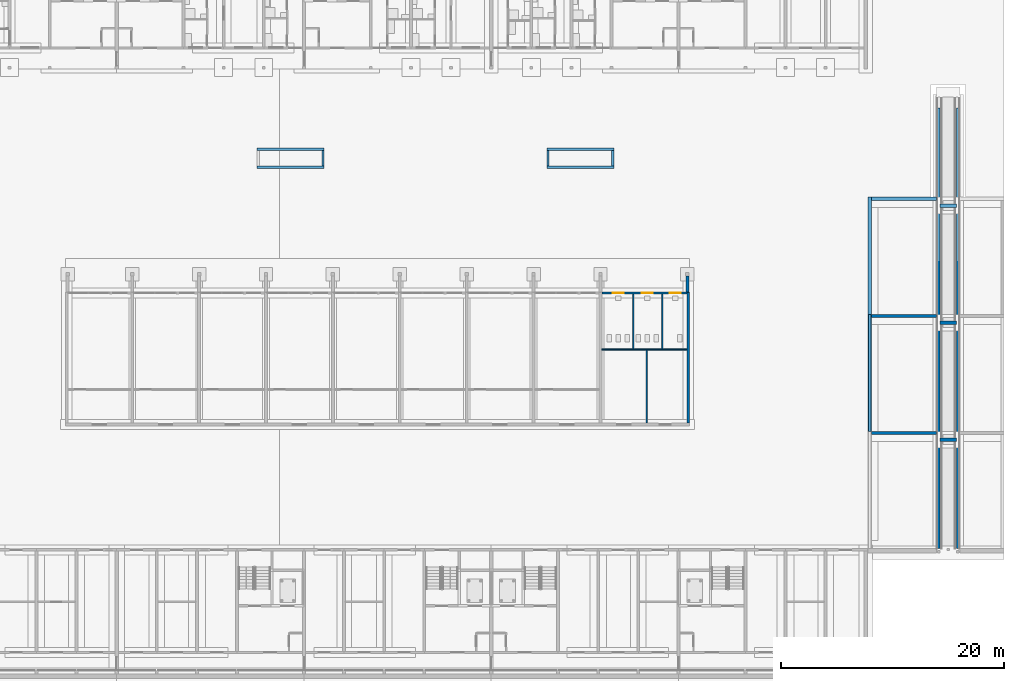
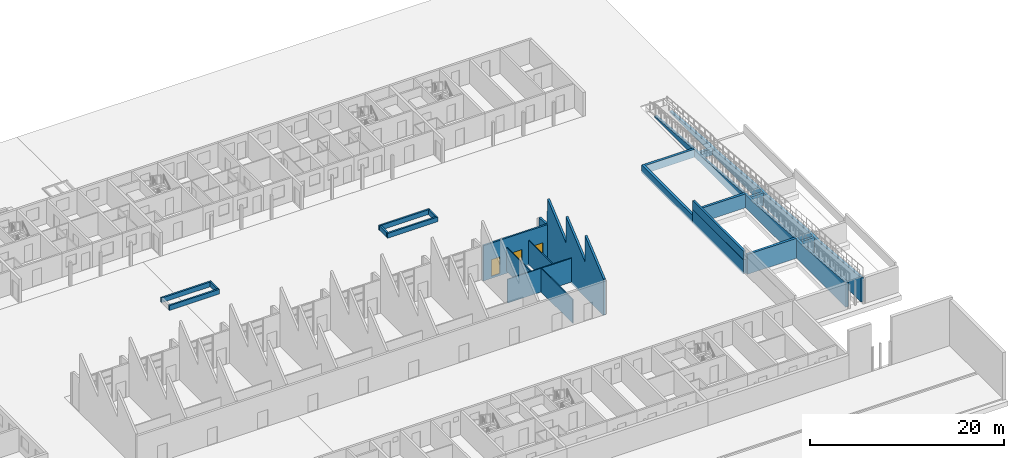
# One storey, part 63 of 112: 25 walls, 3 doors, 3 openings.
"""IFC4 building model written with IfcOpenShell, lengths in metres."""

from ifc_helpers import new_model, si_unit, direction, frame, frame_2d, origin, place, context, subcontext, project, spatial, polyline, rectangle, outline, extrude, material, layer, layer_set, type_object, element, fill, save


model = new_model("IFC4")

# Units and contexts
model_context = context("Model", 3, precision=1e-05, world=origin(), true_north=direction((0.0, 1.0)))
body_context = subcontext(model_context, "Body", "Model", "MODEL_VIEW")
ifc_project = project(units=[si_unit("LENGTHUNIT", "METRE"), si_unit("AREAUNIT", "SQUARE_METRE"), si_unit("VOLUMEUNIT", "CUBIC_METRE"), si_unit("PLANEANGLEUNIT", "RADIAN"), si_unit("MASSUNIT", "GRAM", prefix="KILO")], contexts=[model_context])

# Site, building, storey
site_placement = place(None, origin())
site = spatial("IfcSite", under=ifc_project, at=site_placement, CompositionType="ELEMENT")
building_placement = place(site_placement, origin())
building = spatial("IfcBuilding", under=site, at=building_placement, Name="Ridgestep Commons", CompositionType="ELEMENT")
storey_placement = place(building_placement, origin())
storey = spatial("IfcBuildingStorey", under=building, at=storey_placement, Name="L00", CompositionType="ELEMENT", Elevation=0.0)

# Walls
ifc_material_1 = material(Name="Concrete C30/37", Category="concrete")
ifc_layer_1 = layer(ifc_material_1, 0.199951171875)
ifc_layer_set_1 = layer_set([ifc_layer_1], Name="Community planter wall 200")
wall_type_1 = type_object("IfcWallType", Name="Community planter wall 200", PredefinedType="SOLIDWALL", material=ifc_layer_set_1)
for number, where, z_axis, x_axis, name in (
    (1, (193.0, 57.199951171875, 0.0), (0.0, 0.0, 1.0), (1.0, 0.0, 0.0), "Planter wall"),
    (2, (193.0, 58.800048828125, 0.0), (0.0, 0.0, 1.0), (1.0, 0.0, 0.0), "Planter wall"),
):
    element("IfcWall", number, at=place(storey_placement, frame(where, z_axis=z_axis, x_axis=x_axis)), inside=storey, type_object=wall_type_1, Name=name, PredefinedType="SOLIDWALL", context=body_context, shape_type="SweptSolid", body=[
        extrude(rectangle(XDim=6.0, YDim=0.199951171875, at=frame_2d((3.0, 0.0))), origin(), (0.0, 0.0, 1.0), 0.60009765625),
    ])
wall_1_placement = place(storey_placement, frame((198.89990234375, 57.300048828125, 0.0), z_axis=(0.0, 0.0, 1.0), x_axis=(0.0, 1.0, 0.0)))
element("IfcWall", 3, at=wall_1_placement, inside=storey, type_object=wall_type_1, Name="Planter wall", PredefinedType="SOLIDWALL", context=body_context, shape_type="SweptSolid", body=[
    extrude(rectangle(XDim=1.39990234375, YDim=0.199951171875, at=frame_2d((0.699951171875, 0.0))), origin(), (0.0, 0.0, 1.0), 0.60009765625),
])
for number, where, z_axis, x_axis, name in (
    (4, (219.0, 57.199951171875, 0.0), (0.0, 0.0, 1.0), (1.0, 0.0, 0.0), "Planter wall"),
    (5, (219.0, 58.800048828125, 0.0), (0.0, 0.0, 1.0), (1.0, 0.0, 0.0), "Planter wall"),
):
    element("IfcWall", number, at=place(storey_placement, frame(where, z_axis=z_axis, x_axis=x_axis)), inside=storey, type_object=wall_type_1, Name=name, PredefinedType="SOLIDWALL", context=body_context, shape_type="SweptSolid", body=[
        extrude(rectangle(XDim=6.0, YDim=0.199951171875, at=frame_2d((3.0, 0.0))), origin(), (0.0, 0.0, 1.0), 0.60009765625),
    ])
for number, where, z_axis, x_axis, name in (
    (6, (219.10009765625, 57.300048828125, 0.0), (0.0, 0.0, 1.0), (0.0, 1.0, 0.0), "Planter wall"),
    (7, (224.89990234375, 57.300048828125, 0.0), (0.0, 0.0, 1.0), (0.0, 1.0, 0.0), "Planter wall"),
):
    element("IfcWall", number, at=place(storey_placement, frame(where, z_axis=z_axis, x_axis=x_axis)), inside=storey, type_object=wall_type_1, Name=name, PredefinedType="SOLIDWALL", context=body_context, shape_type="SweptSolid", body=[
        extrude(rectangle(XDim=1.39990234375, YDim=0.199951171875, at=frame_2d((0.699951171875, 0.0))), origin(), (0.0, 0.0, 1.0), 0.60009765625),
    ])
ifc_material_2 = material(Name="Precast concrete C40/50", Category="concrete")
ifc_layer_2 = layer(ifc_material_2, 0.300048828125)
ifc_layer_set_2 = layer_set([ifc_layer_2], Name="Community ramp landing wall 300")
wall_type_2 = type_object("IfcWallType", Name="Community ramp landing wall 300", PredefinedType="SOLIDWALL", material=ifc_layer_set_2)
wall_2_placement = place(storey_placement, frame((255.75, 53.75, -0.25), z_axis=(0.0, 0.0, 1.0), x_axis=(-1.0, 0.0, 0.0)))
element("IfcWall", 8, at=wall_2_placement, inside=storey, type_object=wall_type_2, Name="Ramp landing wall", PredefinedType="SOLIDWALL", context=body_context, shape_type="SweptSolid", body=[
    extrude(rectangle(XDim=1.5, YDim=0.300048828125, at=frame_2d((0.75, 0.0))), origin(), (0.0, 0.0, 1.0), 0.85009765625),
])
wall_3_placement = place(storey_placement, frame((255.75, 43.25, -0.25), z_axis=(0.0, 0.0, 1.0), x_axis=(-1.0, 0.0, 0.0)))
element("IfcWall", 9, at=wall_3_placement, inside=storey, type_object=wall_type_2, Name="Ramp landing wall", PredefinedType="SOLIDWALL", context=body_context, shape_type="SweptSolid", body=[
    extrude(rectangle(XDim=1.5, YDim=0.300048828125, at=frame_2d((0.75, 0.0))), origin(), (0.0, 0.0, 1.0), 1.60009765625),
])
wall_4_placement = place(storey_placement, frame((255.75, 32.75, -0.25), z_axis=(0.0, 0.0, 1.0), x_axis=(-1.0, 0.0, 0.0)))
element("IfcWall", 10, at=wall_4_placement, inside=storey, type_object=wall_type_2, Name="Ramp landing wall", PredefinedType="SOLIDWALL", context=body_context, shape_type="SweptSolid", body=[
    extrude(rectangle(XDim=1.5, YDim=0.300048828125, at=frame_2d((0.75, 0.0))), origin(), (0.0, 0.0, 1.0), 2.35009765625),
])
ifc_material_3 = material(Name="Concrete C30/37", Category="concrete")
ifc_layer_3 = layer(ifc_material_3, 0.300048828125)
ifc_layer_set_3 = layer_set([ifc_layer_3], Name="Community retaining wall 300")
wall_type_3 = type_object("IfcWallType", Name="Community retaining wall 300", PredefinedType="SOLIDWALL", material=ifc_layer_set_3)
for number, where, z_axis, x_axis, name in (
    (11, (255.89990234375, 62.5, -0.25), (0.0, 0.0, 1.0), (0.0, -1.0, 0.0), "Ramp edge wall"),
    (12, (254.10009765625, 62.5, -0.25), (0.0, 0.0, 1.0), (0.0, -1.0, 0.0), "Ramp edge wall"),
):
    element("IfcWall", number, at=place(storey_placement, frame(where, z_axis=z_axis, x_axis=x_axis)), inside=storey, type_object=wall_type_3, Name=name, PredefinedType="SOLIDWALL", context=body_context, shape_type="SweptSolid", body=[
        extrude(outline(polyline([(0.0, 0.0), (39.5, 0.0), (39.5, 3.099609375), (30.5, 2.349609375), (29.0, 2.349609375), (20.0, 1.599609375), (18.5, 1.599609375), (9.5, 0.849609375), (8.0, 0.849609375), (0.0, 0.182861328125), (0.0, 0.0)])), frame((0.0, 0.14990234375, 0.0), z_axis=(0.0, -1.0, 0.0), x_axis=(1.0, 0.0, 0.0)), (0.0, 0.0, 1.0), 0.300048828125),
    ])
wall_5_placement = place(storey_placement, frame((247.949951171875, 44.0, -0.25), z_axis=(0.0, 0.0, 1.0), x_axis=(0.0, 1.0, 0.0)))
element("IfcWall", 13, at=wall_5_placement, inside=storey, type_object=wall_type_3, Name="Bank retaining wall", PredefinedType="SOLIDWALL", context=body_context, shape_type="SweptSolid", body=[
    extrude(rectangle(XDim=10.5, YDim=0.300048828125, at=frame_2d((5.25, 0.0))), origin(), (0.0, 0.0, 1.0), 1.0),
])
wall_6_placement = place(storey_placement, frame((248.10009765625, 54.35009765625, -0.25), z_axis=(0.0, 0.0, 1.0), x_axis=(1.0, 0.0, 0.0)))
element("IfcWall", 14, at=wall_6_placement, inside=storey, type_object=wall_type_3, Name="Bank step wall", PredefinedType="SOLIDWALL", context=body_context, shape_type="SweptSolid", body=[
    extrude(rectangle(XDim=5.849853515625, YDim=0.300048828125, at=frame_2d((2.9248046875, 0.0))), origin(), (0.0, 0.0, 1.0), 1.0),
])
wall_7_placement = place(storey_placement, frame((247.949951171875, 33.5, -0.25), z_axis=(0.0, 0.0, 1.0), x_axis=(0.0, 1.0, 0.0)))
element("IfcWall", 15, at=wall_7_placement, inside=storey, type_object=wall_type_3, Name="Bank retaining wall", PredefinedType="SOLIDWALL", context=body_context, shape_type="SweptSolid", body=[
    extrude(rectangle(XDim=10.5, YDim=0.300048828125, at=frame_2d((5.25, 0.0))), origin(), (0.0, 0.0, 1.0), 1.75),
])
wall_8_placement = place(storey_placement, frame((248.10009765625, 43.85009765625, -0.25), z_axis=(0.0, 0.0, 1.0), x_axis=(1.0, 0.0, 0.0)))
element("IfcWall", 16, at=wall_8_placement, inside=storey, type_object=wall_type_3, Name="Bank step wall", PredefinedType="SOLIDWALL", context=body_context, shape_type="SweptSolid", body=[
    extrude(rectangle(XDim=5.849853515625, YDim=0.300048828125, at=frame_2d((2.9248046875, 0.0))), origin(), (0.0, 0.0, 1.0), 1.75),
])
wall_9_placement = place(storey_placement, frame((248.10009765625, 33.35009765625, -0.25), z_axis=(0.0, 0.0, 1.0), x_axis=(1.0, 0.0, 0.0)))
element("IfcWall", 17, at=wall_9_placement, inside=storey, type_object=wall_type_3, Name="Bank step wall", PredefinedType="SOLIDWALL", context=body_context, shape_type="SweptSolid", body=[
    extrude(rectangle(XDim=5.849853515625, YDim=0.300048828125, at=frame_2d((2.9248046875, 0.0))), origin(), (0.0, 0.0, 1.0), 2.5),
])
ifc_material_4 = material(Name="Precast concrete C40/50", Category="concrete")
ifc_layer_4 = layer(ifc_material_4, 0.25)
ifc_layer_set_4 = layer_set([ifc_layer_4], Name="Community terrace parapet 250")
wall_type_4 = type_object("IfcWallType", Name="Community terrace parapet 250", PredefinedType="PARAPET", material=ifc_layer_set_4)
wall_10_placement = place(storey_placement, frame((247.949951171875, 33.5, 1.5), z_axis=(0.0, 0.0, 1.0), x_axis=(0.0, 1.0, 0.0)))
element("IfcWall", 18, at=wall_10_placement, inside=storey, type_object=wall_type_4, Name="Terrace parapet", PredefinedType="PARAPET", context=body_context, shape_type="SweptSolid", body=[
    extrude(rectangle(XDim=10.5, YDim=0.25, at=frame_2d((5.25, 0.0))), origin(), (0.0, 0.0, 1.0), 1.10009765625),
])
ifc_material_5 = material(Name="Precast concrete C40/50", Category="concrete")
ifc_layer_5 = layer(ifc_material_5, 0.25)
ifc_layer_set_5 = layer_set([ifc_layer_5], Name="Shop arcade fin 250")
wall_type_5 = type_object("IfcWallType", Name="Shop arcade fin 250", PredefinedType="SOLIDWALL", material=ifc_layer_set_5)
wall_11_placement = place(storey_placement, frame((231.60009765625, 46.0, -0.25), z_axis=(0.0, 0.0, 1.0), x_axis=(0.0, 1.0, 0.0)))
element("IfcWall", 19, at=wall_11_placement, inside=storey, type_object=wall_type_5, Name="Shop arcade fin 250", PredefinedType="SOLIDWALL", context=body_context, shape_type="SweptSolid", body=[
    extrude(outline(polyline([(0.0, 0.0), (1.449951171875, 0.0), (1.449951171875, 4.360107421875), (0.0, 4.447021484375), (0.0, 0.0)])), frame((0.0, 0.125, 0.0), z_axis=(0.0, -1.0, 0.0), x_axis=(1.0, 0.0, 0.0)), (0.0, 0.0, 1.0), 0.25),
])

# Wall, openings, doors
ifc_material_6 = material(Name="Precast concrete C40/50", Category="concrete")
ifc_layer_6 = layer(ifc_material_6, 0.199951171875)
ifc_layer_set_6 = layer_set([ifc_layer_6], Name="Shop front wall 200")
wall_type_6 = type_object("IfcWallType", Name="Shop front wall 200", PredefinedType="SOLIDWALL", material=ifc_layer_set_6)
wall_12_placement = place(storey_placement, frame((223.925048828125, 45.89990234375, -0.25), z_axis=(0.0, 0.0, 1.0), x_axis=(1.0, 0.0, 0.0)))
wall_12 = element("IfcWall", 20, at=wall_12_placement, inside=storey, type_object=wall_type_6, Name="Shop front wall 200", PredefinedType="SOLIDWALL", context=body_context, shape_type="SweptSolid", body=[
    extrude(rectangle(XDim=7.625, YDim=0.199951171875, at=frame_2d((3.8125, 0.0))), origin(), (0.0, 0.0, 1.0), 4.449951171875),
])
opening_1_placement = place(wall_12_placement, frame((0.97509765625, 0.0, 0.25)))
opening_1 = element("IfcOpeningElement", 21, at=opening_1_placement, cuts=wall_12, Name="Opening C042", PredefinedType="OPENING", context=body_context, shape_type="SweptSolid", body=[
    extrude(rectangle(XDim=1.0, YDim=2.10009765625, at=frame_2d((0.5, 1.050048828125))), frame((0.0, 0.10986328125, 0.0), z_axis=(0.0, -1.0, 0.0), x_axis=(1.0, 0.0, 0.0)), (0.0, 0.0, 1.0), 0.219970703125),
])
opening_2_placement = place(wall_12_placement, frame((3.574951171875, 0.0, 0.25)))
opening_2 = element("IfcOpeningElement", 22, at=opening_2_placement, cuts=wall_12, Name="Opening C043", PredefinedType="OPENING", context=body_context, shape_type="SweptSolid", body=[
    extrude(rectangle(XDim=1.0, YDim=2.10009765625, at=frame_2d((0.5, 1.050048828125))), frame((0.0, 0.10986328125, 0.0), z_axis=(0.0, -1.0, 0.0), x_axis=(1.0, 0.0, 0.0)), (0.0, 0.0, 1.0), 0.219970703125),
])
opening_3_placement = place(wall_12_placement, frame((6.074951171875, 0.0, 0.25)))
opening_3 = element("IfcOpeningElement", 23, at=opening_3_placement, cuts=wall_12, Name="Opening C044", PredefinedType="OPENING", context=body_context, shape_type="SweptSolid", body=[
    extrude(rectangle(XDim=1.0, YDim=2.10009765625, at=frame_2d((0.5, 1.050048828125))), frame((0.0, 0.10986328125, 0.0), z_axis=(0.0, -1.0, 0.0), x_axis=(1.0, 0.0, 0.0)), (0.0, 0.0, 1.0), 0.219970703125),
])
ifc_material_7 = material(Name="Timber", Category="wood")
door_type = type_object("IfcDoorType", Name="Community toilet door 1000 x 2100", OperationType="SINGLE_SWING_LEFT", PredefinedType="DOOR", material=ifc_material_7)
door_1_placement = place(opening_1_placement, origin())
door_1 = element("IfcDoor", 24, at=door_1_placement, inside=storey, type_object=door_type, Name="Community toilet door 1000 x 2100", OperationType="SINGLE_SWING_RIGHT", OverallHeight=2.10009765625, OverallWidth=1.0, PredefinedType="DOOR", context=body_context, shape_type="SweptSolid", body=[
    extrude(rectangle(XDim=1.0, YDim=2.10009765625, at=frame_2d((0.5, 1.050048828125))), frame((0.0, 0.02490234375, 0.0), z_axis=(0.0, -1.0, 0.0), x_axis=(1.0, 0.0, 0.0)), (0.0, 0.0, 1.0), 0.050048828125),
])
fill(opening_1, door_1)
door_2_placement = place(opening_2_placement, origin())
door_2 = element("IfcDoor", 25, at=door_2_placement, inside=storey, type_object=door_type, Name="Community toilet door 1000 x 2100", OperationType="SINGLE_SWING_RIGHT", OverallHeight=2.10009765625, OverallWidth=1.0, PredefinedType="DOOR", context=body_context, shape_type="SweptSolid", body=[
    extrude(rectangle(XDim=1.0, YDim=2.10009765625, at=frame_2d((0.5, 1.050048828125))), frame((0.0, 0.02490234375, 0.0), z_axis=(0.0, -1.0, 0.0), x_axis=(1.0, 0.0, 0.0)), (0.0, 0.0, 1.0), 0.050048828125),
])
fill(opening_2, door_2)
door_3_placement = place(opening_3_placement, origin())
door_3 = element("IfcDoor", 26, at=door_3_placement, inside=storey, type_object=door_type, Name="Community toilet door 1000 x 2100", OperationType="SINGLE_SWING_LEFT", OverallHeight=2.10009765625, OverallWidth=1.0, PredefinedType="DOOR", context=body_context, shape_type="SweptSolid", body=[
    extrude(rectangle(XDim=1.0, YDim=2.10009765625, at=frame_2d((0.5, 1.050048828125))), frame((0.0, 0.02490234375, 0.0), z_axis=(0.0, -1.0, 0.0), x_axis=(1.0, 0.0, 0.0)), (0.0, 0.0, 1.0), 0.050048828125),
])
fill(opening_3, door_3)

# Walls
ifc_material_8 = material(Name="Common brick 110 mm", Category="masonry")
ifc_layer_7 = layer(ifc_material_8, 0.110107421875)
ifc_layer_set_7 = layer_set([ifc_layer_7], Name="Shop partition 110")
wall_type_7 = type_object("IfcWallType", Name="Shop partition 110", PredefinedType="PARTITIONING", material=ifc_layer_set_7)
wall_13_placement = place(storey_placement, frame((223.925048828125, 40.85009765625, 0.0), z_axis=(0.0, 0.0, 1.0), x_axis=(1.0, 0.0, 0.0)))
element("IfcWall", 27, at=wall_13_placement, inside=storey, type_object=wall_type_7, Name="Shop partition 110", PredefinedType="PARTITIONING", context=body_context, shape_type="SweptSolid", body=[
    extrude(rectangle(XDim=7.625, YDim=0.110107421875, at=frame_2d((3.8125, 0.0))), origin(), (0.0, 0.0, 1.0), 3.0),
])
for number, where, z_axis, x_axis, name in (
    (28, (226.75, 40.905029296875, 0.0), (0.0, 0.0, 1.0), (0.0, 1.0, 0.0), "Shop partition 110"),
    (29, (229.35009765625, 40.905029296875, 0.0), (0.0, 0.0, 1.0), (0.0, 1.0, 0.0), "Shop partition 110"),
):
    element("IfcWall", number, at=place(storey_placement, frame(where, z_axis=z_axis, x_axis=x_axis)), inside=storey, type_object=wall_type_7, Name=name, PredefinedType="PARTITIONING", context=body_context, shape_type="SweptSolid", body=[
        extrude(rectangle(XDim=4.89501953125, YDim=0.110107421875, at=frame_2d((2.447509765625, 0.0))), origin(), (0.0, 0.0, 1.0), 3.0),
    ])
wall_14_placement = place(storey_placement, frame((227.949951171875, 34.25, 0.0), z_axis=(0.0, 0.0, 1.0), x_axis=(0.0, 1.0, 0.0)))
element("IfcWall", 30, at=wall_14_placement, inside=storey, type_object=wall_type_7, Name="Shop partition 110", PredefinedType="PARTITIONING", context=body_context, shape_type="SweptSolid", body=[
    extrude(rectangle(XDim=6.544921875, YDim=0.110107421875, at=frame_2d((3.2724609375, 0.0))), origin(), (0.0, 0.0, 1.0), 3.0),
])
ifc_material_9 = material(Name="Precast concrete C40/50", Category="concrete")
ifc_layer_8 = layer(ifc_material_9, 0.25)
ifc_layer_set_8 = layer_set([ifc_layer_8], Name="Shop wall 250")
wall_type_8 = type_object("IfcWallType", Name="Shop wall 250", PredefinedType="SOLIDWALL", material=ifc_layer_set_8)
wall_15_placement = place(storey_placement, frame((231.675048828125, 34.25, -0.25), z_axis=(0.0, 0.0, 1.0), x_axis=(0.0, 1.0, 0.0)))
element("IfcWall", 31, at=wall_15_placement, inside=storey, type_object=wall_type_8, Name="Shop wall 250", PredefinedType="SOLIDWALL", context=body_context, shape_type="SweptSolid", body=[
    extrude(outline(polyline([(0.0, 0.0), (11.75, 0.0), (11.550048828125, 7.662841796875), (7.72607421875, 4.447021484375), (7.72509765625, 7.7470703125), (3.801025390625, 4.447021484375), (3.800048828125, 7.7470703125), (0.0, 4.552001953125), (0.0, 0.0)])), frame((0.0, 0.125, 0.0), z_axis=(0.0, -1.0, 0.0), x_axis=(1.0, 0.0, 0.0)), (0.0, 0.0, 1.0), 0.25),
])

save(model, "model.ifc")
